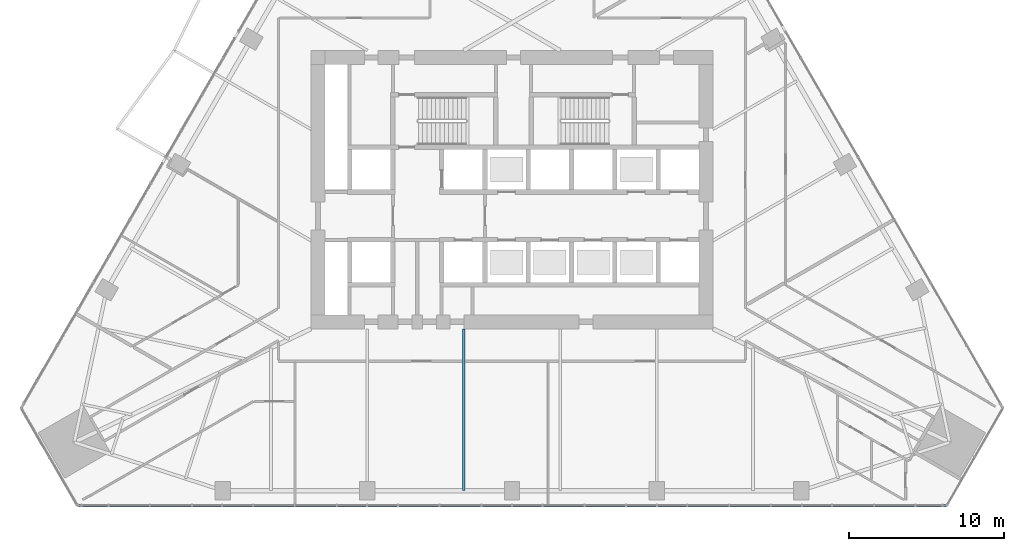
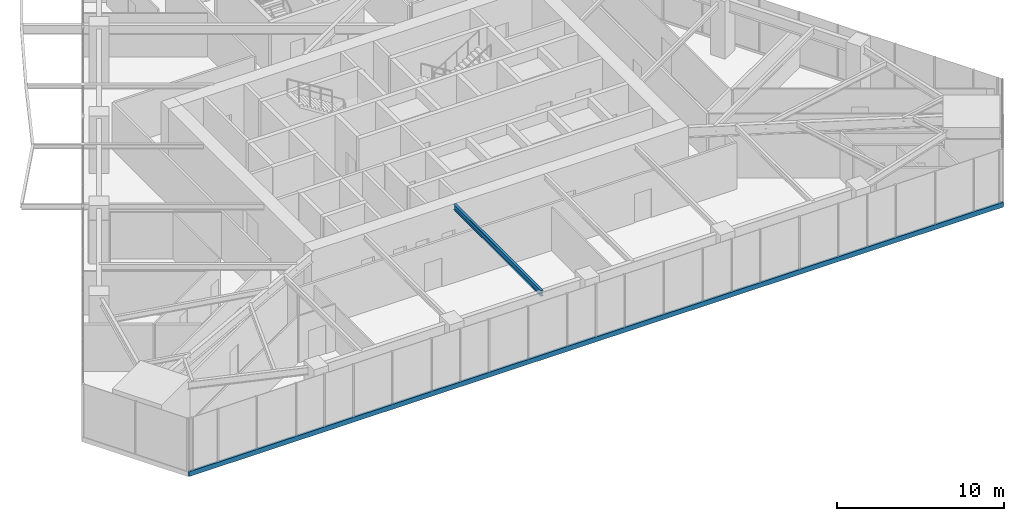
# One storey, part 3 of 22: 1 beam, 1 member, 1 element without a shape of its own.
"""IFC4 building model written with IfcOpenShell, lengths in metres."""

from ifc_helpers import new_model, si_unit, direction, frame, origin, origin_2d, place, context, subcontext, project, spatial, rectangle, i_section, extrude, material, layer, layer_set, material_profile, profile_set, type_object, element, aggregate, save


model = new_model("IFC4")

# Units and contexts
model_context = context("Model", 3, precision=1e-05, world=origin(), true_north=direction((0.0, 1.0)))
body_context = subcontext(model_context, "Body", "Model", "MODEL_VIEW")
ifc_project = project(units=[si_unit("LENGTHUNIT", "METRE"), si_unit("AREAUNIT", "SQUARE_METRE"), si_unit("VOLUMEUNIT", "CUBIC_METRE"), si_unit("PLANEANGLEUNIT", "RADIAN"), si_unit("MASSUNIT", "GRAM", prefix="KILO")], contexts=[model_context])

# Site, building, storey
site_placement = place(None, origin())
site = spatial("IfcSite", under=ifc_project, at=site_placement, CompositionType="ELEMENT")
building_placement = place(site_placement, origin())
building = spatial("IfcBuilding", under=site, at=building_placement, Name="Firuza Gate Tower and Library", CompositionType="ELEMENT")
storey_placement = place(building_placement, frame((0.0, 0.0, 111.39990234375)))
storey = spatial("IfcBuildingStorey", under=building, at=storey_placement, Name="L25", CompositionType="ELEMENT", Elevation=111.39990234375)

# Curtain wall, member
ifc_material_1 = material(Name="Aluminium 6063-T6", Category="aluminium")
ifc_layer = layer(ifc_material_1, 0.14990234375)
ifc_layer_set = layer_set([ifc_layer], Name="Unitised curtain wall, offices")
curtain_wall_type = type_object("IfcCurtainWallType", Name="Unitised curtain wall, offices", PredefinedType="NOTDEFINED", material=ifc_layer_set)
curtain_wall_placement = place(storey_placement, origin())
curtain_wall = element("IfcCurtainWall", 1, at=curtain_wall_placement, inside=storey, type_object=curtain_wall_type, Name="CW1 L25 S face", PredefinedType="NOTDEFINED")
ifc_material_2 = material(Name="Aluminium 6063-T6", Category="aluminium")
ifc_material_profile_1 = material_profile(ifc_material_2, rectangle(XDim=0.14990234375, YDim=0.35009765625, at=origin_2d()))
ifc_profile_set_1 = profile_set([ifc_material_profile_1], Name="Aluminium 6063-T6")
member_type = type_object("IfcMemberType", Name="Curtain wall transom 350x150", PredefinedType="USERDEFINED", material=ifc_profile_set_1)
member_placement = place(storey_placement, frame((46.89404296875, 54.566162109375, -0.02490234375), z_axis=(1.0, 0.0, 0.0), x_axis=(0.0, 1.0, 0.0)))
member = element("IfcMember", 2, at=member_placement, type_object=member_type, Name="Transom", ObjectType="TRANSOM", PredefinedType="USERDEFINED", context=body_context, shape_type="SweptSolid", body=[
    extrude(rectangle(XDim=0.14990234375, YDim=0.35009765625, at=origin_2d()), origin(), (0.0, 0.0, 1.0), 56.2119140625),
])
aggregate(curtain_wall, [member])

# Beam
ifc_material_3 = material(Name="Steel S355", Category="steel")
ifc_material_profile_2 = material_profile(ifc_material_3, i_section(OverallWidth=0.177978515625, OverallDepth=0.406982421875, WebThickness=0.0078125, FlangeThickness=0.0126953125, at=origin_2d()))
ifc_profile_set_2 = profile_set([ifc_material_profile_2], Name="Steel S355")
beam_type = type_object("IfcBeamType", Name="W410x60 Floor beam", PredefinedType="JOIST", material=ifc_profile_set_2)
beam_placement = place(storey_placement, frame((71.8818359375, 55.541015625, 3.796630859375), z_axis=(0.0, 1.0, 0.0), x_axis=(-1.0, 0.0, 0.0)))
element("IfcBeam", 3, at=beam_placement, inside=storey, type_object=beam_type, Name="Floor beam L25 s22", PredefinedType="JOIST", context=body_context, shape_type="SweptSolid", body=[
    extrude(i_section(OverallWidth=0.177978515625, OverallDepth=0.406982421875, WebThickness=0.0078125, FlangeThickness=0.0126953125, at=origin_2d()), origin(), (0.0, 0.0, 1.0), 10.458984375),
])

save(model, "model.ifc")
